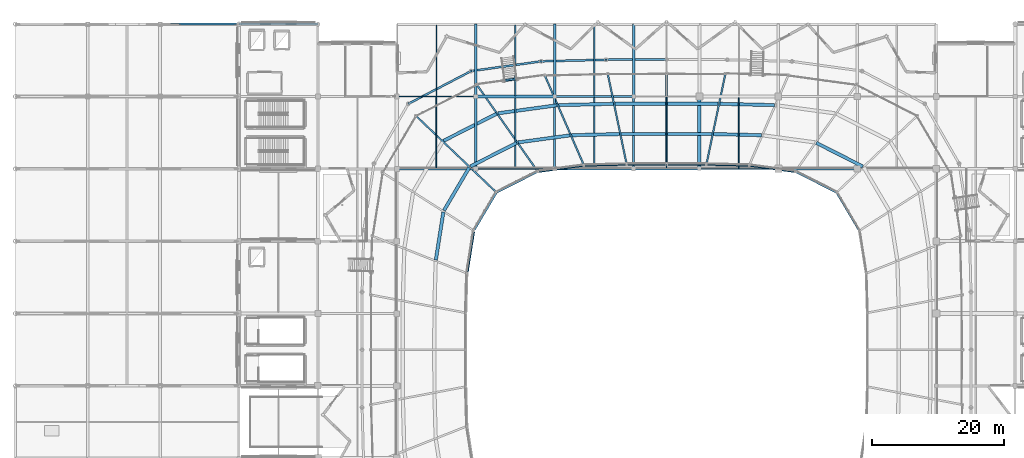
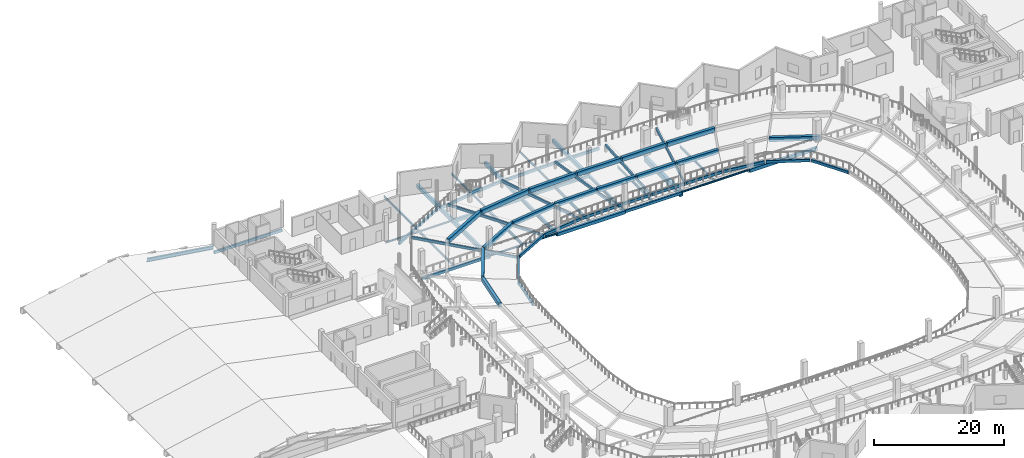
# One storey, part 31 of 77: 63 beams.
"""IFC4 building model written with IfcOpenShell, lengths in metres."""

from ifc_helpers import new_model, si_unit, direction, frame, origin, origin_2d, place, context, subcontext, project, spatial, rectangle, hollow_rectangle, i_section, extrude, material, material_profile, profile_set, type_object, element, save


model = new_model("IFC4")

# Units and contexts
model_context = context("Model", 3, precision=1e-05, world=origin(), true_north=direction((0.0, 1.0)))
body_context = subcontext(model_context, "Body", "Model", "MODEL_VIEW")
ifc_project = project(units=[si_unit("LENGTHUNIT", "METRE"), si_unit("AREAUNIT", "SQUARE_METRE"), si_unit("VOLUMEUNIT", "CUBIC_METRE"), si_unit("PLANEANGLEUNIT", "RADIAN"), si_unit("MASSUNIT", "GRAM", prefix="KILO")], contexts=[model_context])

# Site, building, storey
site_placement = place(None, origin())
site = spatial("IfcSite", under=ifc_project, at=site_placement, CompositionType="ELEMENT")
building_placement = place(site_placement, origin())
building = spatial("IfcBuilding", under=site, at=building_placement, Name="Luwafu Chhajja Arena", CompositionType="ELEMENT")
storey_placement = place(building_placement, frame((0.0, 0.0, 14.699951171875)))
storey = spatial("IfcBuildingStorey", under=building, at=storey_placement, Name="L03", CompositionType="ELEMENT", Elevation=14.699951171875)

# Beams
ifc_material_1 = material(Name="Steel S355", Category="steel")
ifc_material_profile_1 = material_profile(ifc_material_1, hollow_rectangle(XDim=0.25, YDim=0.449951171875, WallThickness=0.01611328125, at=origin_2d()), Name="RHS 450x250x16")
ifc_profile_set_1 = profile_set([ifc_material_profile_1], Name="Steel S355")
beam_type_1 = type_object("IfcBeamType", Name="Cantilevered Upper Bowl Raker RHS 450x250", PredefinedType="USERDEFINED", material=ifc_profile_set_1)
beam_1_placement = place(storey_placement, frame((105.065185546875, 77.6923828125, 0.239990234375), z_axis=(0.204077146452, 0.976494457749, 0.069362037753), x_axis=(-0.9788519703, 0.204569841961, 0.0)))
element("IfcBeam", 1, at=beam_1_placement, inside=storey, type_object=beam_type_1, Name="Upper Bowl Raker RKR-U08", ObjectType="RAKER", PredefinedType="USERDEFINED", context=body_context, shape_type="SweptSolid", body=[
    extrude(hollow_rectangle(XDim=0.25, YDim=0.449951171875, WallThickness=0.01611328125, at=origin_2d()), origin(), (0.0, 0.0, 1.0), 14.12841796875),
])
beam_2_placement = place(storey_placement, frame((99.0, 77.699951171875, 0.239990234375), z_axis=(0.0, 0.997488085628, 0.070834448044), x_axis=(-1.0, 0.0, 0.0)))
element("IfcBeam", 2, at=beam_2_placement, inside=storey, type_object=beam_type_1, Name="Upper Bowl Raker RKR-U09", ObjectType="RAKER", PredefinedType="USERDEFINED", context=body_context, shape_type="SweptSolid", body=[
    extrude(hollow_rectangle(XDim=0.25, YDim=0.449951171875, WallThickness=0.01611328125, at=origin_2d()), origin(), (0.0, 0.0, 1.0), 13.834716796875),
])
beam_3_placement = place(storey_placement, frame((92.934814453125, 77.6923828125, 0.239990234375), z_axis=(-0.204077146452, 0.976494457749, 0.069362037753), x_axis=(-0.9788519703, -0.204569841961, 0.0)))
element("IfcBeam", 3, at=beam_3_placement, inside=storey, type_object=beam_type_1, Name="Upper Bowl Raker RKR-U10", ObjectType="RAKER", PredefinedType="USERDEFINED", context=body_context, shape_type="SweptSolid", body=[
    extrude(hollow_rectangle(XDim=0.25, YDim=0.449951171875, WallThickness=0.01611328125, at=origin_2d()), origin(), (0.0, 0.0, 1.0), 14.12841796875),
])
beam_4_placement = place(storey_placement, frame((86.439697265625, 77.536865234375, 0.239990234375), z_axis=(-0.398223154661, 0.914957546199, 0.065352947496), x_axis=(-0.916917722769, -0.399076295553, 0.0)))
element("IfcBeam", 4, at=beam_4_placement, inside=storey, type_object=beam_type_1, Name="Upper Bowl Raker RKR-U11", ObjectType="RAKER", PredefinedType="USERDEFINED", context=body_context, shape_type="SweptSolid", body=[
    extrude(hollow_rectangle(XDim=0.25, YDim=0.449951171875, WallThickness=0.01611328125, at=origin_2d()), origin(), (0.0, 0.0, 1.0), 14.9951171875),
])
beam_5_placement = place(storey_placement, frame((79.42333984375, 76.589111328125, 0.239990234375), z_axis=(-0.573550026627, 0.816941301272, 0.060392691873), x_axis=(-0.818435194703, -0.574598844474, 0.0)))
element("IfcBeam", 5, at=beam_5_placement, inside=storey, type_object=beam_type_1, Name="Upper Bowl Raker RKR-U12", ObjectType="RAKER", PredefinedType="USERDEFINED", context=body_context, shape_type="SweptSolid", body=[
    extrude(hollow_rectangle(XDim=0.25, YDim=0.449951171875, WallThickness=0.01611328125, at=origin_2d()), origin(), (0.0, 0.0, 1.0), 16.226806640625),
])
beam_6_placement = place(storey_placement, frame((73.14013671875, 73.409912109375, 0.239990234375), z_axis=(-0.723171081086, 0.688259076596, 0.057645736744), x_axis=(-0.689405487669, -0.724375643966, 0.0)))
element("IfcBeam", 6, at=beam_6_placement, inside=storey, type_object=beam_type_1, Name="Upper Bowl Raker RKR-U13", ObjectType="RAKER", PredefinedType="USERDEFINED", context=body_context, shape_type="SweptSolid", body=[
    extrude(hollow_rectangle(XDim=0.25, YDim=0.449951171875, WallThickness=0.01611328125, at=origin_2d()), origin(), (0.0, 0.0, 1.0), 17.0),
])
ifc_material_profile_2 = material_profile(ifc_material_1, i_section(OverallWidth=0.165771484375, OverallDepth=0.306640625, WebThickness=0.006591796875, FlangeThickness=0.01171875, at=origin_2d()), Name="UB 305x165x46")
ifc_profile_set_2 = profile_set([ifc_material_profile_2], Name="Steel S355")
beam_type_2 = type_object("IfcBeamType", Name="Concourse Edge Spandrel Beam UB 305x165x46", PredefinedType="SPANDREL", material=ifc_profile_set_2)
for number, where, z_axis, x_axis, name in (
    (7, (58.0, 88.0, -0.543212890625), (1.0, 0.0, 0.0), (0.0, 1.0, 0.0), "L03 Grid Beam 6-7/J"),
    (8, (70.0, 77.0, -0.543212890625), (1.0, 0.0, 0.0), (0.0, 1.0, 0.0), "L03 Grid Beam 7-8/H"),
    (9, (104.0, 77.0, -0.543212890625), (1.0, 0.0, 0.0), (0.0, 1.0, 0.0), "L03 Grid Beam 10-11/H"),
):
    element("IfcBeam", number, at=place(storey_placement, frame(where, z_axis=z_axis, x_axis=x_axis)), inside=storey, type_object=beam_type_2, Name=name, PredefinedType="SPANDREL", context=body_context, shape_type="SweptSolid", body=[
        extrude(i_section(OverallWidth=0.165771484375, OverallDepth=0.306640625, WebThickness=0.006591796875, FlangeThickness=0.01171875, at=origin_2d()), origin(), (0.0, 0.0, 1.0), 12.0),
    ])
ifc_material_2 = material(Name="Concrete C35/45", Category="concrete")
ifc_material_profile_3 = material_profile(ifc_material_2, rectangle(XDim=0.550048828125, YDim=0.949951171875, at=origin_2d()), Name="RC 550x950")
ifc_profile_set_3 = profile_set([ifc_material_profile_3], Name="Concrete C35/45")
beam_type_3 = type_object("IfcBeamType", Name="Concourse Radial Girder RC 550x950", PredefinedType="BEAM", material=ifc_profile_set_3)
beam_7_placement = place(storey_placement, frame((104.0, 77.0, -0.864990234375), z_axis=(0.0, 1.0, 0.0), x_axis=(-1.0, 0.0, 0.0)))
element("IfcBeam", 10, at=beam_7_placement, inside=storey, type_object=beam_type_3, Name="L03 Grid Beam 10/H-J", PredefinedType="BEAM", context=body_context, shape_type="SweptSolid", body=[
    extrude(rectangle(XDim=0.550048828125, YDim=0.949951171875, at=origin_2d()), origin(), (0.0, 0.0, 1.0), 11.0),
])
ifc_material_profile_4 = material_profile(ifc_material_1, i_section(OverallWidth=0.15283203125, OverallDepth=0.45458984375, WebThickness=0.008056640625, FlangeThickness=0.01318359375, at=origin_2d()), Name="UB 457x152x60")
ifc_profile_set_4 = profile_set([ifc_material_profile_4], Name="Steel S355")
beam_type_4 = type_object("IfcBeamType", Name="Floor Joist UB 457x152x60", PredefinedType="JOIST", material=ifc_profile_set_4)
beam_8_placement = place(storey_placement, frame((64.0, 77.14990234375, -0.6171875), z_axis=(0.0, 1.0, 0.0), x_axis=(-1.0, 0.0, 0.0)))
element("IfcBeam", 11, at=beam_8_placement, inside=storey, type_object=beam_type_4, Name="L03 Secondary Joist 6-7/H", PredefinedType="JOIST", context=body_context, shape_type="SweptSolid", body=[
    extrude(i_section(OverallWidth=0.15283203125, OverallDepth=0.45458984375, WebThickness=0.008056640625, FlangeThickness=0.01318359375, at=origin_2d()), origin(), (0.0, 0.0, 1.0), 10.767333984375),
])
beam_9_placement = place(storey_placement, frame((110.0, 77.082763671875, -0.6171875), z_axis=(0.0, 1.0, 0.0), x_axis=(-1.0, 0.0, 0.0)))
element("IfcBeam", 12, at=beam_9_placement, inside=storey, type_object=beam_type_4, Name="L03 Secondary Joist 10-11/H", PredefinedType="JOIST", context=body_context, shape_type="SweptSolid", body=[
    extrude(i_section(OverallWidth=0.15283203125, OverallDepth=0.45458984375, WebThickness=0.008056640625, FlangeThickness=0.01318359375, at=origin_2d()), origin(), (0.0, 0.0, 1.0), 10.71728515625),
])
ifc_material_profile_5 = material_profile(ifc_material_1, i_section(OverallWidth=0.19140625, OverallDepth=0.4599609375, WebThickness=0.010009765625, FlangeThickness=0.01611328125, at=origin_2d()), Name="UB 457x191x82")
ifc_profile_set_5 = profile_set([ifc_material_profile_5], Name="Steel S355")
beam_type_5 = type_object("IfcBeamType", Name="Floor Joist UB 457x191x82", PredefinedType="JOIST", material=ifc_profile_set_5)
beam_10_placement = place(storey_placement, frame((99.0, 77.14990234375, -0.619873046875), z_axis=(0.0, 1.0, 0.0), x_axis=(-1.0, 0.0, 0.0)))
element("IfcBeam", 13, at=beam_10_placement, inside=storey, type_object=beam_type_5, Name="L03 Secondary Joist 9-10/H", PredefinedType="JOIST", context=body_context, shape_type="SweptSolid", body=[
    extrude(i_section(OverallWidth=0.19140625, OverallDepth=0.4599609375, WebThickness=0.010009765625, FlangeThickness=0.01611328125, at=origin_2d()), origin(), (0.0, 0.0, 1.0), 10.767333984375),
])
ifc_material_profile_6 = material_profile(ifc_material_1, i_section(OverallWidth=0.2099609375, OverallDepth=0.53662109375, WebThickness=0.0107421875, FlangeThickness=0.017333984375, at=origin_2d()), Name="UB 533x210x101")
ifc_profile_set_6 = profile_set([ifc_material_profile_6], Name="Steel S355")
beam_type_6 = type_object("IfcBeamType", Name="Floor Joist UB 533x210x101", PredefinedType="JOIST", material=ifc_profile_set_6)
beam_11_placement = place(storey_placement, frame((76.0, 77.082763671875, -0.658203125), z_axis=(0.0, 1.0, 0.0), x_axis=(-1.0, 0.0, 0.0)))
element("IfcBeam", 14, at=beam_11_placement, inside=storey, type_object=beam_type_6, Name="L03 Secondary Joist 7-8/H", PredefinedType="JOIST", context=body_context, shape_type="SweptSolid", body=[
    extrude(i_section(OverallWidth=0.2099609375, OverallDepth=0.53662109375, WebThickness=0.0107421875, FlangeThickness=0.017333984375, at=origin_2d()), origin(), (0.0, 0.0, 1.0), 10.71728515625),
])
ifc_material_profile_7 = material_profile(ifc_material_1, i_section(OverallWidth=0.209228515625, OverallDepth=0.533203125, WebThickness=0.010009765625, FlangeThickness=0.015625, at=origin_2d()), Name="UB 533x210x92")
ifc_profile_set_7 = profile_set([ifc_material_profile_7], Name="Steel S355")
beam_type_7 = type_object("IfcBeamType", Name="Floor Joist UB 533x210x92", PredefinedType="JOIST", material=ifc_profile_set_7)
beam_12_placement = place(storey_placement, frame((88.0, 77.199951171875, -0.656494140625), z_axis=(0.0, 1.0, 0.0), x_axis=(-1.0, 0.0, 0.0)))
element("IfcBeam", 15, at=beam_12_placement, inside=storey, type_object=beam_type_7, Name="L03 Secondary Joist 8-9/H", PredefinedType="JOIST", context=body_context, shape_type="SweptSolid", body=[
    extrude(i_section(OverallWidth=0.209228515625, OverallDepth=0.533203125, WebThickness=0.010009765625, FlangeThickness=0.015625, at=origin_2d()), origin(), (0.0, 0.0, 1.0), 10.650146484375),
])
ifc_material_profile_8 = material_profile(ifc_material_2, rectangle(XDim=0.5, YDim=0.800048828125, at=origin_2d()), Name="RC 500x800")
ifc_profile_set_8 = profile_set([ifc_material_profile_8], Name="Concrete C35/45")
beam_type_8 = type_object("IfcBeamType", Name="Hospitality Primary Beam RC 500x800", PredefinedType="BEAM", material=ifc_profile_set_8)
beam_13_placement = place(storey_placement, frame((128.818115234375, 77.36669921875, 0.800048828125), z_axis=(-0.891381324979, 0.453254159913, 0.0), x_axis=(-0.453254159913, -0.891381324979, 0.0)))
element("IfcBeam", 16, at=beam_13_placement, inside=storey, type_object=beam_type_8, Name="Upper Tier Ring Beam S05-B2", PredefinedType="BEAM", context=body_context, shape_type="SweptSolid", body=[
    extrude(rectangle(XDim=0.5, YDim=0.800048828125, at=origin_2d()), origin(), (0.0, 0.0, 1.0), 7.908203125),
])
beam_14_placement = place(storey_placement, frame((113.412109375, 82.11328125, 0.800048828125), z_axis=(-0.999710840469, 0.02404652675, 0.0), x_axis=(-0.02404652675, -0.999710840469, 0.0)))
element("IfcBeam", 17, at=beam_14_placement, inside=storey, type_object=beam_type_8, Name="Upper Tier Ring Beam S07-B2", PredefinedType="BEAM", context=body_context, shape_type="SweptSolid", body=[
    extrude(rectangle(XDim=0.5, YDim=0.800048828125, at=origin_2d()), origin(), (0.0, 0.0, 1.0), 7.26953125),
])
beam_15_placement = place(storey_placement, frame((115.388916015625, 86.6865234375, 1.380126953125), z_axis=(-0.999707814625, 0.024171995753, 0.0), x_axis=(-0.024171995753, -0.999707814625, 0.0)))
element("IfcBeam", 18, at=beam_15_placement, inside=storey, type_object=beam_type_8, Name="Upper Tier Ring Beam S07-B3", PredefinedType="BEAM", context=body_context, shape_type="SweptSolid", body=[
    extrude(rectangle(XDim=0.5, YDim=0.800048828125, at=origin_2d()), origin(), (0.0, 0.0, 1.0), 8.292236328125),
])
beam_16_placement = place(storey_placement, frame((105.894775390625, 82.29150390625, 0.800048828125), z_axis=(-0.999999248275, 0.001226152203, 0.0), x_axis=(-0.001226152203, -0.999999248275, 0.0)))
element("IfcBeam", 19, at=beam_16_placement, inside=storey, type_object=beam_type_8, Name="Upper Tier Ring Beam S08-B2", PredefinedType="BEAM", context=body_context, shape_type="SweptSolid", body=[
    extrude(rectangle(XDim=0.5, YDim=0.800048828125, at=origin_2d()), origin(), (0.0, 0.0, 1.0), 6.769775390625),
])
beam_17_placement = place(storey_placement, frame((106.84912109375, 86.89013671875, 1.380126953125), z_axis=(-0.999999200771, 0.001264301411, 0.0), x_axis=(-0.001264301411, -0.999999200771, 0.0)))
element("IfcBeam", 20, at=beam_17_placement, inside=storey, type_object=beam_type_8, Name="Upper Tier Ring Beam S08-B3", PredefinedType="BEAM", context=body_context, shape_type="SweptSolid", body=[
    extrude(rectangle(XDim=0.5, YDim=0.800048828125, at=origin_2d()), origin(), (0.0, 0.0, 1.0), 7.72412109375),
])
beam_18_placement = place(storey_placement, frame((98.875, 82.2998046875, 0.800048828125), z_axis=(-0.999999248275, -0.001226152203, 0.0), x_axis=(0.001226152203, -0.999999248275, 0.0)))
element("IfcBeam", 21, at=beam_18_placement, inside=storey, type_object=beam_type_8, Name="Upper Tier Ring Beam S09-B2", PredefinedType="BEAM", context=body_context, shape_type="SweptSolid", body=[
    extrude(rectangle(XDim=0.5, YDim=0.800048828125, at=origin_2d()), origin(), (0.0, 0.0, 1.0), 6.769775390625),
])
beam_19_placement = place(storey_placement, frame((98.875, 86.89990234375, 1.380126953125), z_axis=(-0.999999200771, -0.001264301411, 0.0), x_axis=(0.001264301411, -0.999999200771, 0.0)))
element("IfcBeam", 22, at=beam_19_placement, inside=storey, type_object=beam_type_8, Name="Upper Tier Ring Beam S09-B3", PredefinedType="BEAM", context=body_context, shape_type="SweptSolid", body=[
    extrude(rectangle(XDim=0.5, YDim=0.800048828125, at=origin_2d()), origin(), (0.0, 0.0, 1.0), 7.72412109375),
])
beam_20_placement = place(storey_placement, frame((91.855224609375, 82.2880859375, 0.800048828125), z_axis=(-0.999710840469, -0.02404652675, 0.0), x_axis=(0.02404652675, -0.999710840469, 0.0)))
element("IfcBeam", 23, at=beam_20_placement, inside=storey, type_object=beam_type_8, Name="Upper Tier Ring Beam S10-B2", PredefinedType="BEAM", context=body_context, shape_type="SweptSolid", body=[
    extrude(rectangle(XDim=0.5, YDim=0.800048828125, at=origin_2d()), origin(), (0.0, 0.0, 1.0), 7.26953125),
])
beam_21_placement = place(storey_placement, frame((90.90087890625, 86.886962890625, 1.380126953125), z_axis=(-0.999707814625, -0.024171995753, 0.0), x_axis=(0.024171995753, -0.999707814625, 0.0)))
element("IfcBeam", 24, at=beam_21_placement, inside=storey, type_object=beam_type_8, Name="Upper Tier Ring Beam S10-B3", PredefinedType="BEAM", context=body_context, shape_type="SweptSolid", body=[
    extrude(rectangle(XDim=0.5, YDim=0.800048828125, at=origin_2d()), origin(), (0.0, 0.0, 1.0), 8.292236328125),
])
beam_22_placement = place(storey_placement, frame((84.339111328125, 82.093505859375, 0.800048828125), z_axis=(-0.990909467515, -0.134530395038, 0.0), x_axis=(0.134530395038, -0.990909467515, 0.0)))
element("IfcBeam", 25, at=beam_22_placement, inside=storey, type_object=beam_type_8, Name="Upper Tier Ring Beam S11-B2", PredefinedType="BEAM", context=body_context, shape_type="SweptSolid", body=[
    extrude(rectangle(XDim=0.5, YDim=0.800048828125, at=origin_2d()), origin(), (0.0, 0.0, 1.0), 7.945068359375),
])
beam_23_placement = place(storey_placement, frame((82.3623046875, 86.66650390625, 1.380126953125), z_axis=(-0.990848033552, -0.134982126249, 0.0), x_axis=(0.134982126249, -0.990848033552, 0.0)))
element("IfcBeam", 26, at=beam_23_placement, inside=storey, type_object=beam_type_8, Name="Upper Tier Ring Beam S11-B3", PredefinedType="BEAM", context=body_context, shape_type="SweptSolid", body=[
    extrude(rectangle(XDim=0.5, YDim=0.800048828125, at=origin_2d()), origin(), (0.0, 0.0, 1.0), 9.059814453125),
])
beam_24_placement = place(storey_placement, frame((76.231201171875, 80.951171875, 0.800048828125), z_axis=(-0.891381324979, -0.453254159913, 0.0), x_axis=(0.453254159913, -0.891381324979, 0.0)))
element("IfcBeam", 27, at=beam_24_placement, inside=storey, type_object=beam_type_8, Name="Upper Tier Ring Beam S12-B2", PredefinedType="BEAM", context=body_context, shape_type="SweptSolid", body=[
    extrude(rectangle(XDim=0.5, YDim=0.800048828125, at=origin_2d()), origin(), (0.0, 0.0, 1.0), 7.908203125),
])
beam_25_placement = place(storey_placement, frame((73.150390625, 85.369873046875, 1.380126953125), z_axis=(-0.890679385598, -0.454631974316, 0.0), x_axis=(0.454631974316, -0.890679385598, 0.0)))
element("IfcBeam", 28, at=beam_25_placement, inside=storey, type_object=beam_type_8, Name="Upper Tier Ring Beam S12-B3", PredefinedType="BEAM", context=body_context, shape_type="SweptSolid", body=[
    extrude(rectangle(XDim=0.5, YDim=0.800048828125, at=origin_2d()), origin(), (0.0, 0.0, 1.0), 9.02490234375),
])
beam_26_placement = place(storey_placement, frame((69.007080078125, 77.2021484375, 0.800048828125), z_axis=(-0.507517540406, -0.861641425525, 0.0), x_axis=(0.861641425525, -0.507517540406, 0.0)))
element("IfcBeam", 29, at=beam_26_placement, inside=storey, type_object=beam_type_8, Name="Upper Tier Ring Beam S13-B2", PredefinedType="BEAM", context=body_context, shape_type="SweptSolid", body=[
    extrude(rectangle(XDim=0.5, YDim=0.800048828125, at=origin_2d()), origin(), (0.0, 0.0, 1.0), 7.591796875),
])
beam_27_placement = place(storey_placement, frame((65.0712890625, 70.429443359375, 0.800048828125), z_axis=(-0.1553465585, -0.987860033994, 0.0), x_axis=(0.987860033994, -0.1553465585, 0.0)))
element("IfcBeam", 30, at=beam_27_placement, inside=storey, type_object=beam_type_8, Name="Upper Tier Ring Beam S14-B2", PredefinedType="BEAM", context=body_context, shape_type="SweptSolid", body=[
    extrude(rectangle(XDim=0.5, YDim=0.800048828125, at=origin_2d()), origin(), (0.0, 0.0, 1.0), 7.387939453125),
])
ifc_material_profile_9 = material_profile(ifc_material_1, hollow_rectangle(XDim=0.300048828125, YDim=0.5, WallThickness=0.02001953125, at=origin_2d()), Name="RHS 500x300x20")
ifc_profile_set_9 = profile_set([ifc_material_profile_9], Name="Steel S355")
beam_type_9 = type_object("IfcBeamType", Name="Pleated Drum Spandrel Beam RHS 500x300", PredefinedType="SPANDREL", material=ifc_profile_set_9)
for number, where, z_axis, x_axis, name in (
    (31, (34.0, 99.0, -0.639892578125), (1.0, 0.0, 0.0), (0.0, 1.0, 0.0), "L03 Grid Beam 4-5/K"),
    (32, (58.0, 77.0, -0.639892578125), (1.0, 0.0, 0.0), (0.0, 1.0, 0.0), "L03 Grid Beam 6-7/H"),
    (33, (82.0, 88.0, -0.639892578125), (1.0, 0.0, 0.0), (0.0, 1.0, 0.0), "L03 Grid Beam 8-9/J"),
):
    element("IfcBeam", number, at=place(storey_placement, frame(where, z_axis=z_axis, x_axis=x_axis)), inside=storey, type_object=beam_type_9, Name=name, PredefinedType="SPANDREL", context=body_context, shape_type="SweptSolid", body=[
        extrude(hollow_rectangle(XDim=0.300048828125, YDim=0.5, WallThickness=0.02001953125, at=origin_2d()), origin(), (0.0, 0.0, 1.0), 12.0),
    ])
beam_28_placement = place(storey_placement, frame((94.0, 77.0, -0.639892578125), z_axis=(1.0, 0.0, 0.0), x_axis=(0.0, 1.0, 0.0)))
element("IfcBeam", 34, at=beam_28_placement, inside=storey, type_object=beam_type_9, Name="L03 Grid Beam 9-10/H", PredefinedType="SPANDREL", context=body_context, shape_type="SweptSolid", body=[
    extrude(hollow_rectangle(XDim=0.300048828125, YDim=0.5, WallThickness=0.02001953125, at=origin_2d()), origin(), (0.0, 0.0, 1.0), 10.0),
])
beam_29_placement = place(storey_placement, frame((99.0, 93.60009765625, -0.639892578125), z_axis=(-0.999999155928, -0.001299285621, 0.0), x_axis=(0.001299285621, -0.999999155928, 0.0)))
element("IfcBeam", 35, at=beam_29_placement, inside=storey, type_object=beam_type_9, Name="L03 Drum Ring Spandrel D09-D10", PredefinedType="SPANDREL", context=body_context, shape_type="SweptSolid", body=[
    extrude(hollow_rectangle(XDim=0.300048828125, YDim=0.5, WallThickness=0.02001953125, at=origin_2d()), origin(), (0.0, 0.0, 1.0), 9.207275390625),
])
beam_30_placement = place(storey_placement, frame((89.792724609375, 93.588134765625, -0.639892578125), z_axis=(-0.999695420837, -0.024679253567, 0.0), x_axis=(0.024679253567, -0.999695420837, 0.0)))
element("IfcBeam", 36, at=beam_30_placement, inside=storey, type_object=beam_type_9, Name="L03 Drum Ring Spandrel D10-D11", PredefinedType="SPANDREL", context=body_context, shape_type="SweptSolid", body=[
    extrude(hollow_rectangle(XDim=0.300048828125, YDim=0.5, WallThickness=0.02001953125, at=origin_2d()), origin(), (0.0, 0.0, 1.0), 9.86279296875),
])
beam_31_placement = place(storey_placement, frame((79.932861328125, 93.3447265625, -0.639892578125), z_axis=(-0.990458730054, -0.137809666058, 0.0), x_axis=(0.137809666058, -0.990458730054, 0.0)))
element("IfcBeam", 37, at=beam_31_placement, inside=storey, type_object=beam_type_9, Name="L03 Drum Ring Spandrel D11-D12", PredefinedType="SPANDREL", context=body_context, shape_type="SweptSolid", body=[
    extrude(hollow_rectangle(XDim=0.300048828125, YDim=0.5, WallThickness=0.02001953125, at=origin_2d()), origin(), (0.0, 0.0, 1.0), 10.75341796875),
])
beam_32_placement = place(storey_placement, frame((69.281982421875, 91.86279296875, -0.639892578125), z_axis=(-0.886755170812, -0.462239404463, 0.0), x_axis=(0.462239404463, -0.886755170812, 0.0)))
element("IfcBeam", 38, at=beam_32_placement, inside=storey, type_object=beam_type_9, Name="L03 Drum Ring Spandrel D12-D13", PredefinedType="SPANDREL", context=body_context, shape_type="SweptSolid", body=[
    extrude(hollow_rectangle(XDim=0.300048828125, YDim=0.5, WallThickness=0.02001953125, at=origin_2d()), origin(), (0.0, 0.0, 1.0), 10.756103515625),
])
ifc_material_profile_10 = material_profile(ifc_material_2, rectangle(XDim=0.39990234375, YDim=0.60009765625, at=origin_2d()), Name="RC 400x600")
ifc_profile_set_10 = profile_set([ifc_material_profile_10], Name="Concrete C35/45")
beam_type_10 = type_object("IfcBeamType", Name="Podium Perimeter Spandrel RC 400x600", PredefinedType="SPANDREL", material=ifc_profile_set_10)
for number, where, z_axis, x_axis, name in (
    (39, (70.0, 88.0, -0.68994140625), (1.0, 0.0, 0.0), (0.0, 1.0, 0.0), "L03 Grid Beam 7-8/J"),
    (40, (82.0, 77.0, -0.68994140625), (1.0, 0.0, 0.0), (0.0, 1.0, 0.0), "L03 Grid Beam 8-9/H"),
    (41, (116.0, 77.0, -0.68994140625), (1.0, 0.0, 0.0), (0.0, 1.0, 0.0), "L03 Grid Beam 11-12/H"),
):
    element("IfcBeam", number, at=place(storey_placement, frame(where, z_axis=z_axis, x_axis=x_axis)), inside=storey, type_object=beam_type_10, Name=name, PredefinedType="SPANDREL", context=body_context, shape_type="SweptSolid", body=[
        extrude(rectangle(XDim=0.39990234375, YDim=0.60009765625, at=origin_2d()), origin(), (0.0, 0.0, 1.0), 12.0),
    ])
ifc_material_profile_11 = material_profile(ifc_material_1, i_section(OverallWidth=0.300048828125, OverallDepth=0.5, WebThickness=0.014404296875, FlangeThickness=0.028076171875, at=origin_2d()), Name="HEB 500")
ifc_profile_set_11 = profile_set([ifc_material_profile_11], Name="Steel S355")
beam_type_11 = type_object("IfcBeamType", Name="Steel Atrium Tie Girder HEB 500", PredefinedType="BEAM", material=ifc_profile_set_11)
beam_33_placement = place(storey_placement, frame((94.0, 77.0, -0.639892578125), z_axis=(0.0, 1.0, 0.0), x_axis=(-1.0, 0.0, 0.0)))
element("IfcBeam", 42, at=beam_33_placement, inside=storey, type_object=beam_type_11, Name="L03 Grid Beam 9/H-J", PredefinedType="BEAM", context=body_context, shape_type="SweptSolid", body=[
    extrude(i_section(OverallWidth=0.300048828125, OverallDepth=0.5, WebThickness=0.014404296875, FlangeThickness=0.028076171875, at=origin_2d()), origin(), (0.0, 0.0, 1.0), 11.0),
])
ifc_material_profile_12 = material_profile(ifc_material_1, i_section(OverallWidth=0.30712890625, OverallDepth=0.6201171875, WebThickness=0.01416015625, FlangeThickness=0.023681640625, at=origin_2d()), Name="UB 610x305x179")
ifc_profile_set_12 = profile_set([ifc_material_profile_12], Name="Steel S355")
beam_type_12 = type_object("IfcBeamType", Name="Steel Hospitality Girder UB 610x305x179", PredefinedType="BEAM", material=ifc_profile_set_12)
beam_34_placement = place(storey_placement, frame((82.0, 77.0, -0.699951171875), z_axis=(0.0, 1.0, 0.0), x_axis=(-1.0, 0.0, 0.0)))
element("IfcBeam", 43, at=beam_34_placement, inside=storey, type_object=beam_type_12, Name="L03 Grid Beam 8/H-J", PredefinedType="BEAM", context=body_context, shape_type="SweptSolid", body=[
    extrude(i_section(OverallWidth=0.30712890625, OverallDepth=0.6201171875, WebThickness=0.01416015625, FlangeThickness=0.023681640625, at=origin_2d()), origin(), (0.0, 0.0, 1.0), 11.0),
])
beam_35_placement = place(storey_placement, frame((22.1201171875, 99.0, 2.080078125), z_axis=(0.989387417973, 0.0, -0.145301538731), x_axis=(0.0, 1.0, 0.0)))
element("IfcBeam", 44, at=beam_35_placement, inside=storey, type_object=beam_type_12, Name="Warm-Up Truss 06 East Rafter", PredefinedType="BEAM", context=body_context, shape_type="SweptSolid", body=[
    extrude(i_section(OverallWidth=0.30712890625, OverallDepth=0.6201171875, WebThickness=0.01416015625, FlangeThickness=0.023681640625, at=origin_2d()), origin(), (0.0, 0.0, 1.0), 11.90625),
])
ifc_material_3 = material(Name="Precast concrete C40/50", Category="concrete")
ifc_material_profile_13 = material_profile(ifc_material_3, rectangle(XDim=0.300048828125, YDim=0.5, at=origin_2d()), Name="RC 300x500")
ifc_profile_set_13 = profile_set([ifc_material_profile_13], Name="Precast concrete C40/50")
beam_type_13 = type_object("IfcBeamType", Name="Tier Support Beam RC 300x500", PredefinedType="BEAM", material=ifc_profile_set_13)
beam_36_placement = place(storey_placement, frame((128.23486328125, 67.7080078125, 0.340087890625), z_axis=(-0.509366870443, 0.860549470568, 0.0), x_axis=(-0.860549470568, -0.509366870443, 0.0)))
element("IfcBeam", 45, at=beam_36_placement, inside=storey, type_object=beam_type_13, Name="Upper Tier Ring Beam S04-B1", PredefinedType="BEAM", context=body_context, shape_type="SweptSolid", body=[
    extrude(rectangle(XDim=0.300048828125, YDim=0.5, at=origin_2d()), origin(), (0.0, 0.0, 1.0), 6.500732421875),
])
beam_37_placement = place(storey_placement, frame((124.748291015625, 73.46630859375, 0.340087890625), z_axis=(-0.89228181807, 0.451478855697, 0.0), x_axis=(-0.451478855697, -0.89228181807, 0.0)))
element("IfcBeam", 46, at=beam_37_placement, inside=storey, type_object=beam_type_13, Name="Upper Tier Ring Beam S05-B1", PredefinedType="BEAM", context=body_context, shape_type="SweptSolid", body=[
    extrude(rectangle(XDim=0.300048828125, YDim=0.5, at=origin_2d()), origin(), (0.0, 0.0, 1.0), 6.7919921875),
])
beam_38_placement = place(storey_placement, frame((118.45263671875, 76.605712890625, 0.340087890625), z_axis=(-0.990998840044, 0.133870456154, 0.0), x_axis=(-0.133870456154, -0.990998840044, 0.0)))
element("IfcBeam", 47, at=beam_38_placement, inside=storey, type_object=beam_type_13, Name="Upper Tier Ring Beam S06-B1", PredefinedType="BEAM", context=body_context, shape_type="SweptSolid", body=[
    extrude(rectangle(XDim=0.300048828125, YDim=0.5, at=origin_2d()), origin(), (0.0, 0.0, 1.0), 6.829833984375),
])
beam_39_placement = place(storey_placement, frame((111.435302734375, 77.539794921875, 0.340087890625), z_axis=(-0.99971298614, 0.023957156392, 0.0), x_axis=(-0.023957156392, -0.99971298614, 0.0)))
element("IfcBeam", 48, at=beam_39_placement, inside=storey, type_object=beam_type_13, Name="Upper Tier Ring Beam S07-B1", PredefinedType="BEAM", context=body_context, shape_type="SweptSolid", body=[
    extrude(rectangle(XDim=0.300048828125, YDim=0.5, at=origin_2d()), origin(), (0.0, 0.0, 1.0), 6.246826171875),
])
for number, where, z_axis, x_axis, name in (
    (49, (104.940185546875, 77.692626953125, 0.340087890625), (-0.999999258829, 0.001217514526, 0.0), (-0.001217514526, -0.999999258829, 0.0), "Upper Tier Ring Beam S08-B1"),
    (50, (98.875, 77.69970703125, 0.340087890625), (-0.999999258829, -0.001217514526, 0.0), (0.001217514526, -0.999999258829, 0.0), "Upper Tier Ring Beam S09-B1"),
):
    element("IfcBeam", number, at=place(storey_placement, frame(where, z_axis=z_axis, x_axis=x_axis)), inside=storey, type_object=beam_type_13, Name=name, PredefinedType="BEAM", context=body_context, shape_type="SweptSolid", body=[
        extrude(rectangle(XDim=0.300048828125, YDim=0.5, at=origin_2d()), origin(), (0.0, 0.0, 1.0), 5.815185546875),
    ])
beam_40_placement = place(storey_placement, frame((92.809814453125, 77.689453125, 0.340087890625), z_axis=(-0.99971298614, -0.023957156392, 0.0), x_axis=(0.023957156392, -0.99971298614, 0.0)))
element("IfcBeam", 51, at=beam_40_placement, inside=storey, type_object=beam_type_13, Name="Upper Tier Ring Beam S10-B1", PredefinedType="BEAM", context=body_context, shape_type="SweptSolid", body=[
    extrude(rectangle(XDim=0.300048828125, YDim=0.5, at=origin_2d()), origin(), (0.0, 0.0, 1.0), 6.246826171875),
])
beam_41_placement = place(storey_placement, frame((86.315673828125, 77.52001953125, 0.340087890625), z_axis=(-0.990998840044, -0.133870456154, 0.0), x_axis=(0.133870456154, -0.990998840044, 0.0)))
element("IfcBeam", 52, at=beam_41_placement, inside=storey, type_object=beam_type_13, Name="Upper Tier Ring Beam S11-B1", PredefinedType="BEAM", context=body_context, shape_type="SweptSolid", body=[
    extrude(rectangle(XDim=0.300048828125, YDim=0.5, at=origin_2d()), origin(), (0.0, 0.0, 1.0), 6.829833984375),
])
beam_42_placement = place(storey_placement, frame((76.431884765625, 90.70654296875, 1.550048828125), z_axis=(-0.990829522142, -0.135117941263, 0.0), x_axis=(0.135117941263, -0.990829522142, 0.0)))
element("IfcBeam", 53, at=beam_42_placement, inside=storey, type_object=beam_type_13, Name="L03 Vomitory Header Beam S11", PredefinedType="BEAM", context=body_context, shape_type="SweptSolid", body=[
    extrude(rectangle(XDim=0.300048828125, YDim=0.5, at=origin_2d()), origin(), (0.0, 0.0, 1.0), 2.300048828125),
])
beam_43_placement = place(storey_placement, frame((79.31201171875, 76.53271484375, 0.340087890625), z_axis=(-0.89228181807, -0.451478855697, 0.0), x_axis=(0.451478855697, -0.89228181807, 0.0)))
element("IfcBeam", 54, at=beam_43_placement, inside=storey, type_object=beam_type_13, Name="Upper Tier Ring Beam S12-B1", PredefinedType="BEAM", context=body_context, shape_type="SweptSolid", body=[
    extrude(rectangle(XDim=0.300048828125, YDim=0.5, at=origin_2d()), origin(), (0.0, 0.0, 1.0), 6.7919921875),
])
beam_44_placement = place(storey_placement, frame((73.076416015625, 73.30224609375, 0.340087890625), z_axis=(-0.509366870443, -0.860549470568, 0.0), x_axis=(0.860549470568, -0.509366870443, 0.0)))
element("IfcBeam", 55, at=beam_44_placement, inside=storey, type_object=beam_type_13, Name="Upper Tier Ring Beam S13-B1", PredefinedType="BEAM", context=body_context, shape_type="SweptSolid", body=[
    extrude(rectangle(XDim=0.300048828125, YDim=0.5, at=origin_2d()), origin(), (0.0, 0.0, 1.0), 6.500732421875),
])
beam_45_placement = place(storey_placement, frame((69.681884765625, 67.476806640625, 0.340087890625), z_axis=(-0.156051876046, -0.987748860785, 0.0), x_axis=(0.987748860785, -0.156051876046, 0.0)))
element("IfcBeam", 56, at=beam_45_placement, inside=storey, type_object=beam_type_13, Name="Upper Tier Ring Beam S14-B1", PredefinedType="BEAM", context=body_context, shape_type="SweptSolid", body=[
    extrude(rectangle(XDim=0.300048828125, YDim=0.5, at=origin_2d()), origin(), (0.0, 0.0, 1.0), 6.3173828125),
])
ifc_material_profile_14 = material_profile(ifc_material_2, rectangle(XDim=0.39990234375, YDim=0.699951171875, at=origin_2d()), Name="RC 400x700")
ifc_profile_set_14 = profile_set([ifc_material_profile_14], Name="Concrete C35/45")
beam_type_14 = type_object("IfcBeamType", Name="Wing Frame Beam RC 400x700", PredefinedType="BEAM", material=ifc_profile_set_14)
for number, where, z_axis, x_axis, name in (
    (57, (70.0, 77.0, -0.739990234375), (0.0, 1.0, 0.0), (-1.0, 0.0, 0.0), "L03 Grid Beam 7/H-J"),
    (58, (70.0, 88.0, -0.724853515625), (0.0, 1.0, 0.0), (-1.0, 0.0, 0.0), "L03 Podium Roof Deck Beam Y-06_08"),
    (59, (82.0, 88.0, -0.724853515625), (0.0, 1.0, 0.0), (-1.0, 0.0, 0.0), "L03 Podium Roof Deck Beam Y-07_08"),
    (60, (94.0, 88.0, -0.724853515625), (0.0, 1.0, 0.0), (-1.0, 0.0, 0.0), "L03 Podium Roof Deck Beam Y-08_08"),
):
    element("IfcBeam", number, at=place(storey_placement, frame(where, z_axis=z_axis, x_axis=x_axis)), inside=storey, type_object=beam_type_14, Name=name, PredefinedType="BEAM", context=body_context, shape_type="SweptSolid", body=[
        extrude(rectangle(XDim=0.39990234375, YDim=0.699951171875, at=origin_2d()), origin(), (0.0, 0.0, 1.0), 11.0),
    ])
ifc_material_profile_15 = material_profile(ifc_material_1, i_section(OverallWidth=0.172119140625, OverallDepth=0.35791015625, WebThickness=0.008056640625, FlangeThickness=0.012939453125, at=origin_2d()), Name="UB 356x171x57")
ifc_profile_set_15 = profile_set([ifc_material_profile_15], Name="Steel S355")
beam_type_15 = type_object("IfcBeamType", Name="Wing Roof Purlin Joist UB 356x171x57", PredefinedType="JOIST", material=ifc_profile_set_15)
for number, where, z_axis, x_axis, name in (
    (61, (64.0, 88.10009765625, -0.554931640625), (0.0, 1.0, 0.0), (-1.0, 0.0, 0.0), "L03 Podium Roof Joist 5/8"),
    (62, (76.0, 88.10009765625, -0.554931640625), (0.0, 1.0, 0.0), (-1.0, 0.0, 0.0), "L03 Podium Roof Joist 6/8"),
    (63, (88.0, 88.10009765625, -0.554931640625), (0.0, 1.0, 0.0), (-1.0, 0.0, 0.0), "L03 Podium Roof Joist 7/8"),
):
    element("IfcBeam", number, at=place(storey_placement, frame(where, z_axis=z_axis, x_axis=x_axis)), inside=storey, type_object=beam_type_15, Name=name, PredefinedType="JOIST", context=body_context, shape_type="SweptSolid", body=[
        extrude(i_section(OverallWidth=0.172119140625, OverallDepth=0.35791015625, WebThickness=0.008056640625, FlangeThickness=0.012939453125, at=origin_2d()), origin(), (0.0, 0.0, 1.0), 10.7998046875),
    ])

save(model, "model.ifc")
